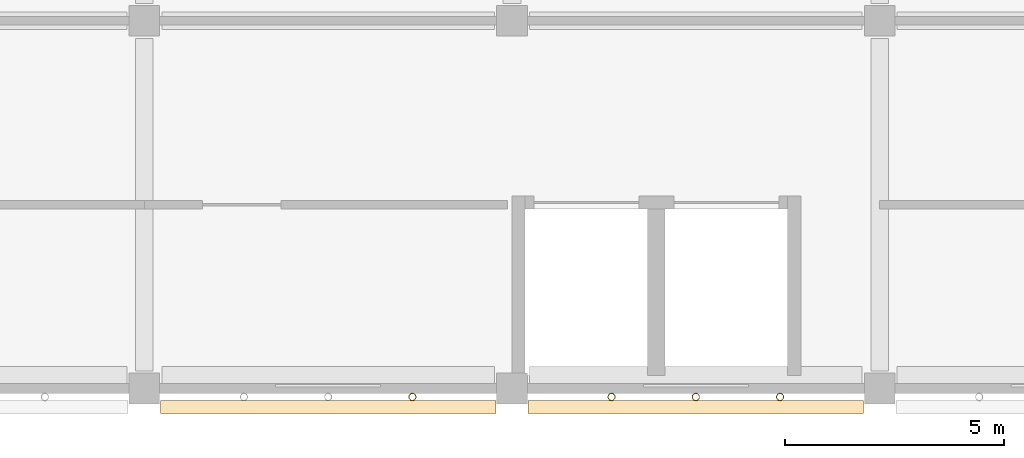
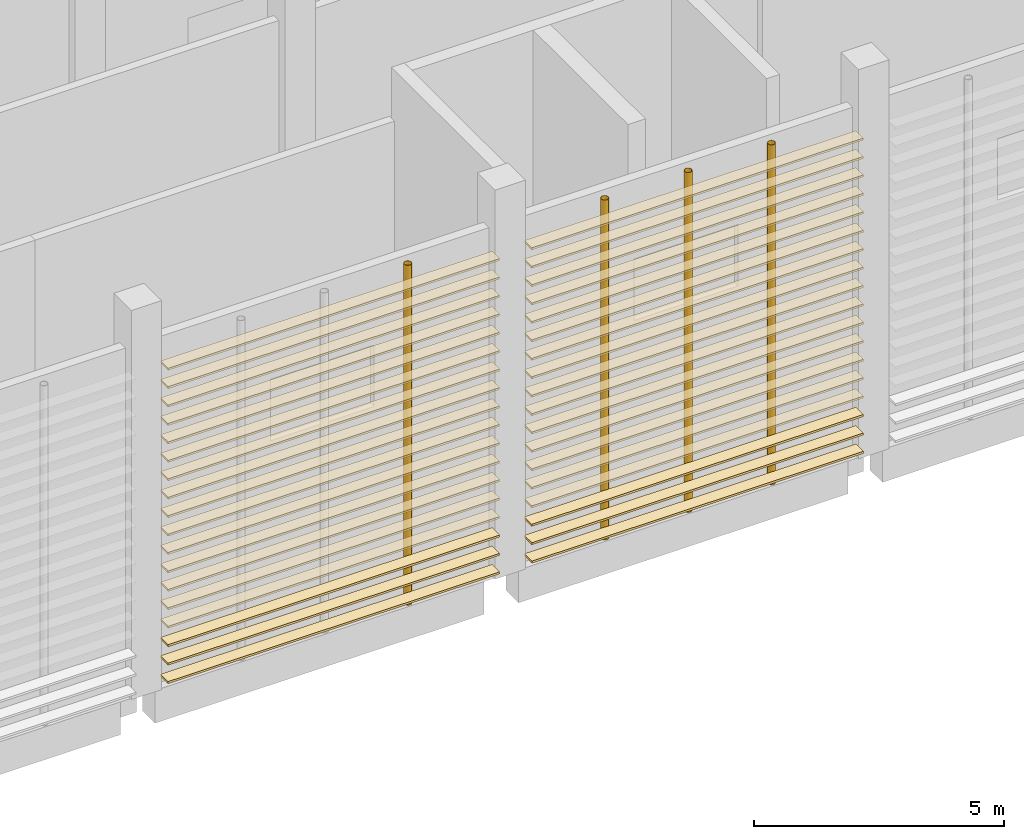
# One storey, part 84 of 114: 36 coverings, 4 shading devices.
"""IFC4 building model written with IfcOpenShell, lengths in metres."""

from ifc_helpers import new_model, si_unit, direction, frame, origin, origin_2d, place, context, subcontext, project, spatial, rectangle, hollow_circle, extrude, material, material_profile, profile_set, type_object, element, save


model = new_model("IFC4")

# Units and contexts
model_context = context("Model", 3, precision=1e-05, world=origin(), true_north=direction((0.0, 1.0)))
body_context = subcontext(model_context, "Body", "Model", "MODEL_VIEW")
ifc_project = project(units=[si_unit("LENGTHUNIT", "METRE"), si_unit("AREAUNIT", "SQUARE_METRE"), si_unit("VOLUMEUNIT", "CUBIC_METRE"), si_unit("PLANEANGLEUNIT", "RADIAN"), si_unit("MASSUNIT", "GRAM", prefix="KILO")], contexts=[model_context])

# Site, building, storey
site_placement = place(None, origin())
site = spatial("IfcSite", under=ifc_project, at=site_placement, CompositionType="ELEMENT")
building_placement = place(site_placement, origin())
building = spatial("IfcBuilding", under=site, at=building_placement, Name="Almond Square Museum", CompositionType="ELEMENT")
storey_placement = place(building_placement, frame((0.0, 0.0, 10.5)))
storey = spatial("IfcBuildingStorey", under=building, at=storey_placement, Name="L02", CompositionType="ELEMENT", Elevation=10.5)

# Shading devices
ifc_material_1 = material(Name="Structural steel S355", Category="steel")
ifc_material_profile_1 = material_profile(ifc_material_1, hollow_circle(Radius=0.084228515625, WallThickness=0.008056640625, at=origin_2d()))
ifc_profile_set_1 = profile_set([ifc_material_profile_1], Name="Structural steel S355")
shading_device_type = type_object("IfcShadingDeviceType", Name="Louvre post CHS 168.3 x 8", PredefinedType="USERDEFINED", material=ifc_profile_set_1)
for number, where, z_axis, x_axis, name in (
    (1, (87.72509765625, -0.194091796875, 0.0), (0.0, 0.0, 1.0), (1.0, 0.0, 0.0), "Louvre screen post"),
    (2, (92.27490234375, -0.194091796875, 0.0), (0.0, 0.0, 1.0), (1.0, 0.0, 0.0), "Louvre screen post"),
    (3, (94.199951171875, -0.194091796875, 0.0), (0.0, 0.0, 1.0), (1.0, 0.0, 0.0), "Louvre screen post"),
    (4, (96.125, -0.194091796875, 0.0), (0.0, 0.0, 1.0), (1.0, 0.0, 0.0), "Louvre screen post"),
):
    element("IfcShadingDevice", number, at=place(storey_placement, frame(where, z_axis=z_axis, x_axis=x_axis)), inside=storey, type_object=shading_device_type, Name=name, ObjectType="POST", PredefinedType="USERDEFINED", context=body_context, shape_type="SweptSolid", body=[
        extrude(hollow_circle(Radius=0.084228515625, WallThickness=0.008056640625, at=origin_2d()), origin(), (0.0, 0.0, 1.0), 8.300048828125),
    ])

# Coverings
ifc_material_2 = material(Name="Cedar timber louvre board", Category="wood")
ifc_material_profile_2 = material_profile(ifc_material_2, rectangle(XDim=0.300048828125, YDim=0.050048828125, at=origin_2d()))
ifc_profile_set_2 = profile_set([ifc_material_profile_2], Name="Cedar timber louvre board")
covering_type = type_object("IfcCoveringType", Name="Louvre screen board 300 x 50", PredefinedType="CLADDING", material=ifc_profile_set_2)
for number, where, z_axis, x_axis, name in (
    (5, (81.969970703125, -0.42431640625, 0.300048828125), (1.0, 0.0, 0.0), (0.0, 1.0, 0.0), "Louvre screen board"),
    (6, (81.969970703125, -0.42431640625, 0.75), (1.0, 0.0, 0.0), (0.0, 1.0, 0.0), "Louvre screen board"),
    (7, (81.969970703125, -0.42431640625, 1.199951171875), (1.0, 0.0, 0.0), (0.0, 1.0, 0.0), "Louvre screen board"),
    (8, (81.969970703125, -0.42431640625, 1.64990234375), (1.0, 0.0, 0.0), (0.0, 1.0, 0.0), "Louvre screen board"),
    (9, (81.969970703125, -0.42431640625, 2.10009765625), (1.0, 0.0, 0.0), (0.0, 1.0, 0.0), "Louvre screen board"),
    (10, (81.969970703125, -0.42431640625, 2.550048828125), (1.0, 0.0, 0.0), (0.0, 1.0, 0.0), "Louvre screen board"),
    (11, (81.969970703125, -0.42431640625, 3.0), (1.0, 0.0, 0.0), (0.0, 1.0, 0.0), "Louvre screen board"),
    (12, (81.969970703125, -0.42431640625, 3.449951171875), (1.0, 0.0, 0.0), (0.0, 1.0, 0.0), "Louvre screen board"),
    (13, (81.969970703125, -0.42431640625, 3.89990234375), (1.0, 0.0, 0.0), (0.0, 1.0, 0.0), "Louvre screen board"),
    (14, (81.969970703125, -0.42431640625, 4.35009765625), (1.0, 0.0, 0.0), (0.0, 1.0, 0.0), "Louvre screen board"),
    (15, (81.969970703125, -0.42431640625, 4.800048828125), (1.0, 0.0, 0.0), (0.0, 1.0, 0.0), "Louvre screen board"),
    (16, (81.969970703125, -0.42431640625, 5.25), (1.0, 0.0, 0.0), (0.0, 1.0, 0.0), "Louvre screen board"),
    (17, (81.969970703125, -0.42431640625, 5.699951171875), (1.0, 0.0, 0.0), (0.0, 1.0, 0.0), "Louvre screen board"),
    (18, (81.969970703125, -0.42431640625, 6.14990234375), (1.0, 0.0, 0.0), (0.0, 1.0, 0.0), "Louvre screen board"),
    (19, (81.969970703125, -0.42431640625, 6.60009765625), (1.0, 0.0, 0.0), (0.0, 1.0, 0.0), "Louvre screen board"),
    (20, (81.969970703125, -0.42431640625, 7.050048828125), (1.0, 0.0, 0.0), (0.0, 1.0, 0.0), "Louvre screen board"),
    (21, (81.969970703125, -0.42431640625, 7.5), (1.0, 0.0, 0.0), (0.0, 1.0, 0.0), "Louvre screen board"),
    (22, (81.969970703125, -0.42431640625, 7.949951171875), (1.0, 0.0, 0.0), (0.0, 1.0, 0.0), "Louvre screen board"),
    (23, (90.3701171875, -0.42431640625, 0.300048828125), (1.0, 0.0, 0.0), (0.0, 1.0, 0.0), "Louvre screen board"),
    (24, (90.3701171875, -0.42431640625, 0.75), (1.0, 0.0, 0.0), (0.0, 1.0, 0.0), "Louvre screen board"),
    (25, (90.3701171875, -0.42431640625, 1.199951171875), (1.0, 0.0, 0.0), (0.0, 1.0, 0.0), "Louvre screen board"),
    (26, (90.3701171875, -0.42431640625, 1.64990234375), (1.0, 0.0, 0.0), (0.0, 1.0, 0.0), "Louvre screen board"),
    (27, (90.3701171875, -0.42431640625, 2.10009765625), (1.0, 0.0, 0.0), (0.0, 1.0, 0.0), "Louvre screen board"),
    (28, (90.3701171875, -0.42431640625, 2.550048828125), (1.0, 0.0, 0.0), (0.0, 1.0, 0.0), "Louvre screen board"),
    (29, (90.3701171875, -0.42431640625, 3.0), (1.0, 0.0, 0.0), (0.0, 1.0, 0.0), "Louvre screen board"),
    (30, (90.3701171875, -0.42431640625, 3.449951171875), (1.0, 0.0, 0.0), (0.0, 1.0, 0.0), "Louvre screen board"),
    (31, (90.3701171875, -0.42431640625, 3.89990234375), (1.0, 0.0, 0.0), (0.0, 1.0, 0.0), "Louvre screen board"),
    (32, (90.3701171875, -0.42431640625, 4.35009765625), (1.0, 0.0, 0.0), (0.0, 1.0, 0.0), "Louvre screen board"),
    (33, (90.3701171875, -0.42431640625, 4.800048828125), (1.0, 0.0, 0.0), (0.0, 1.0, 0.0), "Louvre screen board"),
    (34, (90.3701171875, -0.42431640625, 5.25), (1.0, 0.0, 0.0), (0.0, 1.0, 0.0), "Louvre screen board"),
    (35, (90.3701171875, -0.42431640625, 5.699951171875), (1.0, 0.0, 0.0), (0.0, 1.0, 0.0), "Louvre screen board"),
    (36, (90.3701171875, -0.42431640625, 6.14990234375), (1.0, 0.0, 0.0), (0.0, 1.0, 0.0), "Louvre screen board"),
    (37, (90.3701171875, -0.42431640625, 6.60009765625), (1.0, 0.0, 0.0), (0.0, 1.0, 0.0), "Louvre screen board"),
    (38, (90.3701171875, -0.42431640625, 7.050048828125), (1.0, 0.0, 0.0), (0.0, 1.0, 0.0), "Louvre screen board"),
    (39, (90.3701171875, -0.42431640625, 7.5), (1.0, 0.0, 0.0), (0.0, 1.0, 0.0), "Louvre screen board"),
    (40, (90.3701171875, -0.42431640625, 7.949951171875), (1.0, 0.0, 0.0), (0.0, 1.0, 0.0), "Louvre screen board"),
):
    element("IfcCovering", number, at=place(storey_placement, frame(where, z_axis=z_axis, x_axis=x_axis)), inside=storey, type_object=covering_type, Name=name, PredefinedType="CLADDING", context=body_context, shape_type="SweptSolid", body=[
        extrude(rectangle(XDim=0.300048828125, YDim=0.050048828125, at=origin_2d()), origin(), (0.0, 0.0, 1.0), 7.659912109375),
    ])

save(model, "model.ifc")
